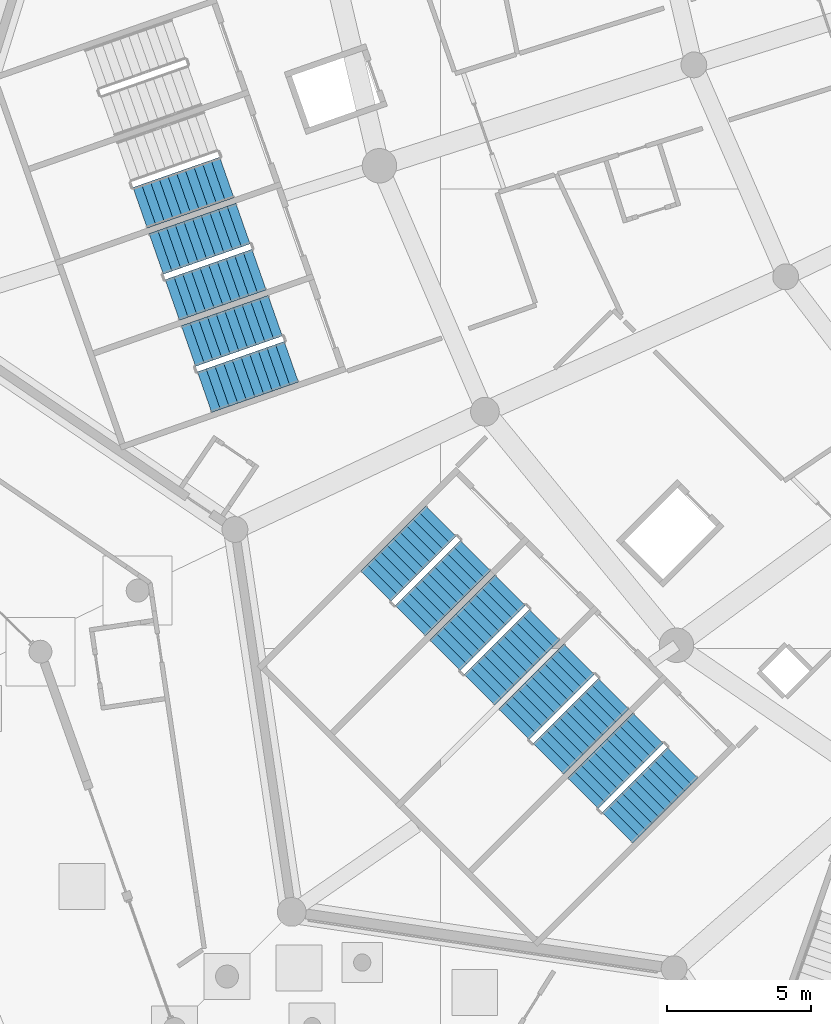
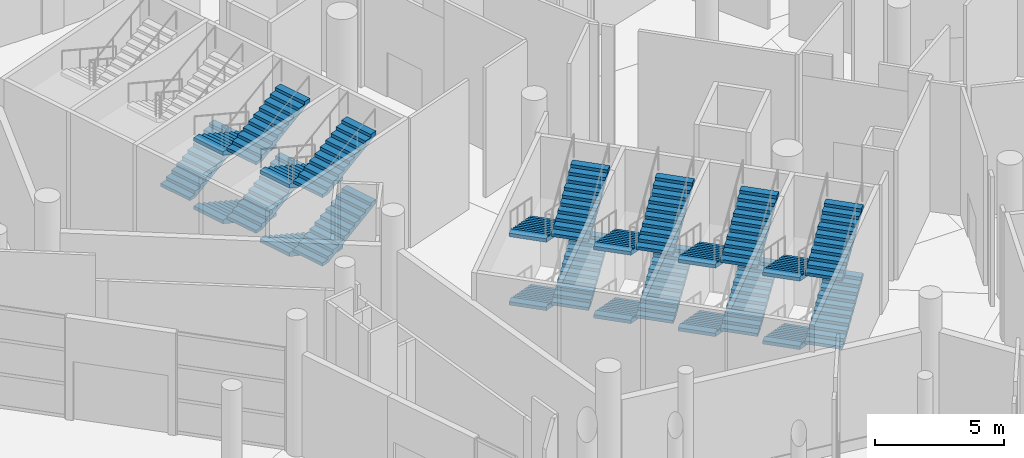
# One storey, part 159 of 255: 25 stair flights, 7 elements without a shape of their own.
"""IFC4 building model written with IfcOpenShell, lengths in metres."""

from ifc_helpers import new_model, si_unit, direction, frame, origin, place, context, subcontext, project, spatial, polyline, outline, extrude, material, type_object, element, aggregate, save


model = new_model("IFC4")

# Units and contexts
model_context = context("Model", 3, precision=1e-05, world=origin(), true_north=direction((0.0, 1.0)))
body_context = subcontext(model_context, "Body", "Model", "MODEL_VIEW")
ifc_project = project(units=[si_unit("LENGTHUNIT", "METRE"), si_unit("AREAUNIT", "SQUARE_METRE"), si_unit("VOLUMEUNIT", "CUBIC_METRE"), si_unit("PLANEANGLEUNIT", "RADIAN"), si_unit("MASSUNIT", "GRAM", prefix="KILO")], contexts=[model_context])

# Site, building, storey
site_placement = place(None, origin())
site = spatial("IfcSite", under=ifc_project, at=site_placement, CompositionType="ELEMENT")
building_placement = place(site_placement, origin())
building = spatial("IfcBuilding", under=site, at=building_placement, Name="Meseta Stadium", CompositionType="ELEMENT")
storey_placement = place(building_placement, origin())
storey = spatial("IfcBuildingStorey", under=building, at=storey_placement, Name="L00", CompositionType="ELEMENT", Elevation=0.0)

# Stair, stair flight
ifc_material_1 = material(Name="Concrete C40/50", Category="concrete")
stair_type = type_object("IfcStairType", Name="Exit stair 4 flights 148 mm risers", PredefinedType="HALF_TURN_STAIR", material=ifc_material_1)
stair_1_placement = place(storey_placement, origin())
stair_1 = element("IfcStair", 1, at=stair_1_placement, inside=storey, type_object=stair_type, Name="ST78 L00", PredefinedType="HALF_TURN_STAIR")
ifc_material_2 = material(Name="Concrete C40/50", Category="concrete")
stair_flight_type = type_object("IfcStairFlightType", Name="Exit stair flight 148 mm risers, 4 per storey", PredefinedType="STRAIGHT", material=ifc_material_2)
stair_flight_1_placement = place(storey_placement, frame((-90.45458984375, -64.65478515625, 1.625), z_axis=(0.0, 0.0, 1.0), x_axis=(0.943883331955, 0.330279057248, 0.0)))
stair_flight_1 = element("IfcStairFlight", 2, at=stair_flight_1_placement, type_object=stair_flight_type, Name="ST78 L00 flight 2", NumberOfRisers=11, NumberOfTreads=10, PredefinedType="STRAIGHT", RiserHeight=0.147727273, TreadLength=0.32, context=body_context, shape_type="SweptSolid", body=[
    extrude(outline(polyline([(0.0, 0.0), (0.0, 0.147705078125), (0.320068359375, 0.147705078125), (0.320068359375, 0.29541015625), (0.639892578125, 0.29541015625), (0.639892578125, 0.443115234375), (0.9599609375, 0.443115234375), (0.9599609375, 0.5908203125), (1.280029296875, 0.5908203125), (1.280029296875, 0.738525390625), (1.60009765625, 0.738525390625), (1.60009765625, 0.886474609375), (1.919921875, 0.886474609375), (1.919921875, 1.0341796875), (2.239990234375, 1.0341796875), (2.239990234375, 1.181884765625), (2.56005859375, 1.181884765625), (2.56005859375, 1.32958984375), (2.8798828125, 1.32958984375), (2.8798828125, 1.477294921875), (3.199951171875, 1.477294921875), (3.199951171875, 1.312255859375), (0.357666015625, 0.0), (0.0, 0.0)])), frame((0.0, 0.75, 0.0), z_axis=(0.0, -1.0, 0.0), x_axis=(1.0, 0.0, 0.0)), (0.0, 0.0, 1.0), 1.5),
])
aggregate(stair_1, [stair_flight_1])

# Stair, stair flights
stair_2_placement = place(storey_placement, origin())
stair_2 = element("IfcStair", 3, at=stair_2_placement, inside=storey, type_object=stair_type, Name="ST79 L00", PredefinedType="HALF_TURN_STAIR")
stair_flight_2_placement = place(storey_placement, frame((-86.87255859375, -65.202392578125, 0.0), z_axis=(0.0, 0.0, 1.0), x_axis=(-0.943883331955, -0.330279057248, 0.0)))
stair_flight_2 = element("IfcStairFlight", 4, at=stair_flight_2_placement, type_object=stair_flight_type, Name="ST79 L00 flight 1", NumberOfRisers=11, NumberOfTreads=10, PredefinedType="STRAIGHT", RiserHeight=0.147727273, TreadLength=0.32, context=body_context, shape_type="SweptSolid", body=[
    extrude(outline(polyline([(0.0, 0.0), (0.0, 0.147705078125), (0.320068359375, 0.147705078125), (0.320068359375, 0.29541015625), (0.639892578125, 0.29541015625), (0.639892578125, 0.443115234375), (0.9599609375, 0.443115234375), (0.9599609375, 0.5908203125), (1.280029296875, 0.5908203125), (1.280029296875, 0.738525390625), (1.60009765625, 0.738525390625), (1.60009765625, 0.886474609375), (1.919921875, 0.886474609375), (1.919921875, 1.0341796875), (2.239990234375, 1.0341796875), (2.239990234375, 1.181884765625), (2.56005859375, 1.181884765625), (2.56005859375, 1.32958984375), (2.8798828125, 1.32958984375), (2.8798828125, 1.477294921875), (3.199951171875, 1.477294921875), (3.199951171875, 1.312255859375), (0.357666015625, 0.0), (0.0, 0.0)])), frame((0.0, 0.75, 0.0), z_axis=(0.0, -1.0, 0.0), x_axis=(1.0, 0.0, 0.0)), (0.0, 0.0, 1.0), 1.5),
])
stair_flight_3_placement = place(storey_placement, frame((-89.33154296875, -67.864013671875, 1.625), z_axis=(0.0, 0.0, 1.0), x_axis=(0.943883331955, 0.330279057248, 0.0)))
stair_flight_3 = element("IfcStairFlight", 5, at=stair_flight_3_placement, type_object=stair_flight_type, Name="ST79 L00 flight 2", NumberOfRisers=11, NumberOfTreads=10, PredefinedType="STRAIGHT", RiserHeight=0.147727273, TreadLength=0.32, context=body_context, shape_type="SweptSolid", body=[
    extrude(outline(polyline([(0.0, 0.0), (0.0, 0.147705078125), (0.320068359375, 0.147705078125), (0.320068359375, 0.29541015625), (0.639892578125, 0.29541015625), (0.639892578125, 0.443115234375), (0.9599609375, 0.443115234375), (0.9599609375, 0.5908203125), (1.280029296875, 0.5908203125), (1.280029296875, 0.738525390625), (1.60009765625, 0.738525390625), (1.60009765625, 0.886474609375), (1.919921875, 0.886474609375), (1.919921875, 1.0341796875), (2.239990234375, 1.0341796875), (2.239990234375, 1.181884765625), (2.56005859375, 1.181884765625), (2.56005859375, 1.32958984375), (2.8798828125, 1.32958984375), (2.8798828125, 1.477294921875), (3.199951171875, 1.477294921875), (3.199951171875, 1.312255859375), (0.357666015625, 0.0), (0.0, 0.0)])), frame((0.0, 0.75, 0.0), z_axis=(0.0, -1.0, 0.0), x_axis=(1.0, 0.0, 0.0)), (0.0, 0.0, 1.0), 1.5),
])
stair_flight_4_placement = place(storey_placement, frame((-86.87255859375, -65.202392578125, 3.25), z_axis=(0.0, 0.0, 1.0), x_axis=(-0.943883331955, -0.330279057248, 0.0)))
stair_flight_4 = element("IfcStairFlight", 6, at=stair_flight_4_placement, type_object=stair_flight_type, Name="ST79 L00 flight 3", NumberOfRisers=11, NumberOfTreads=10, PredefinedType="STRAIGHT", RiserHeight=0.147727273, TreadLength=0.32, context=body_context, shape_type="SweptSolid", body=[
    extrude(outline(polyline([(0.0, 0.0), (0.0, 0.147705078125), (0.320068359375, 0.147705078125), (0.320068359375, 0.29541015625), (0.639892578125, 0.29541015625), (0.639892578125, 0.443115234375), (0.9599609375, 0.443115234375), (0.9599609375, 0.5908203125), (1.280029296875, 0.5908203125), (1.280029296875, 0.738525390625), (1.60009765625, 0.738525390625), (1.60009765625, 0.886474609375), (1.919921875, 0.886474609375), (1.919921875, 1.0341796875), (2.239990234375, 1.0341796875), (2.239990234375, 1.181884765625), (2.56005859375, 1.181884765625), (2.56005859375, 1.32958984375), (2.8798828125, 1.32958984375), (2.8798828125, 1.477294921875), (3.199951171875, 1.477294921875), (3.199951171875, 1.312255859375), (0.357666015625, 0.0), (0.0, 0.0)])), frame((0.0, 0.75, 0.0), z_axis=(0.0, -1.0, 0.0), x_axis=(1.0, 0.0, 0.0)), (0.0, 0.0, 1.0), 1.5),
])
stair_flight_5_placement = place(storey_placement, frame((-89.33154296875, -67.864013671875, 4.875), z_axis=(0.0, 0.0, 1.0), x_axis=(0.943883331955, 0.330279057248, 0.0)))
stair_flight_5 = element("IfcStairFlight", 7, at=stair_flight_5_placement, type_object=stair_flight_type, Name="ST79 L00 flight 4", NumberOfRisers=11, NumberOfTreads=10, PredefinedType="STRAIGHT", RiserHeight=0.147727273, TreadLength=0.32, context=body_context, shape_type="SweptSolid", body=[
    extrude(outline(polyline([(0.0, 0.0), (0.0, 0.147705078125), (0.320068359375, 0.147705078125), (0.320068359375, 0.29541015625), (0.639892578125, 0.29541015625), (0.639892578125, 0.443115234375), (0.9599609375, 0.443115234375), (0.9599609375, 0.5908203125), (1.280029296875, 0.5908203125), (1.280029296875, 0.738525390625), (1.60009765625, 0.738525390625), (1.60009765625, 0.886474609375), (1.919921875, 0.886474609375), (1.919921875, 1.0341796875), (2.239990234375, 1.0341796875), (2.239990234375, 1.181884765625), (2.56005859375, 1.181884765625), (2.56005859375, 1.32958984375), (2.8798828125, 1.32958984375), (2.8798828125, 1.477294921875), (3.199951171875, 1.477294921875), (3.199951171875, 1.312255859375), (0.357666015625, 0.0), (0.0, 0.0)])), frame((0.0, 0.75, 0.0), z_axis=(0.0, -1.0, 0.0), x_axis=(1.0, 0.0, 0.0)), (0.0, 0.0, 1.0), 1.5),
])
aggregate(stair_2, [stair_flight_2, stair_flight_3, stair_flight_4, stair_flight_5])

stair_3_placement = place(storey_placement, origin())
stair_3 = element("IfcStair", 8, at=stair_3_placement, inside=storey, type_object=stair_type, Name="ST80 L00", PredefinedType="HALF_TURN_STAIR")
stair_flight_6_placement = place(storey_placement, frame((-85.74951171875, -68.41162109375, 0.0), z_axis=(0.0, 0.0, 1.0), x_axis=(-0.943883331955, -0.330279057248, 0.0)))
stair_flight_6 = element("IfcStairFlight", 9, at=stair_flight_6_placement, type_object=stair_flight_type, Name="ST80 L00 flight 1", NumberOfRisers=11, NumberOfTreads=10, PredefinedType="STRAIGHT", RiserHeight=0.147727273, TreadLength=0.32, context=body_context, shape_type="SweptSolid", body=[
    extrude(outline(polyline([(0.0, 0.0), (0.0, 0.147705078125), (0.320068359375, 0.147705078125), (0.320068359375, 0.29541015625), (0.639892578125, 0.29541015625), (0.639892578125, 0.443115234375), (0.9599609375, 0.443115234375), (0.9599609375, 0.5908203125), (1.280029296875, 0.5908203125), (1.280029296875, 0.738525390625), (1.60009765625, 0.738525390625), (1.60009765625, 0.886474609375), (1.919921875, 0.886474609375), (1.919921875, 1.0341796875), (2.239990234375, 1.0341796875), (2.239990234375, 1.181884765625), (2.56005859375, 1.181884765625), (2.56005859375, 1.32958984375), (2.8798828125, 1.32958984375), (2.8798828125, 1.477294921875), (3.199951171875, 1.477294921875), (3.199951171875, 1.312255859375), (0.357666015625, 0.0), (0.0, 0.0)])), frame((0.0, 0.75, 0.0), z_axis=(0.0, -1.0, 0.0), x_axis=(1.0, 0.0, 0.0)), (0.0, 0.0, 1.0), 1.5),
])
stair_flight_7_placement = place(storey_placement, frame((-88.20849609375, -71.0732421875, 1.625), z_axis=(0.0, 0.0, 1.0), x_axis=(0.943883331955, 0.330279057248, 0.0)))
stair_flight_7 = element("IfcStairFlight", 10, at=stair_flight_7_placement, type_object=stair_flight_type, Name="ST80 L00 flight 2", NumberOfRisers=11, NumberOfTreads=10, PredefinedType="STRAIGHT", RiserHeight=0.147727273, TreadLength=0.32, context=body_context, shape_type="SweptSolid", body=[
    extrude(outline(polyline([(0.0, 0.0), (0.0, 0.147705078125), (0.320068359375, 0.147705078125), (0.320068359375, 0.29541015625), (0.639892578125, 0.29541015625), (0.639892578125, 0.443115234375), (0.9599609375, 0.443115234375), (0.9599609375, 0.5908203125), (1.280029296875, 0.5908203125), (1.280029296875, 0.738525390625), (1.60009765625, 0.738525390625), (1.60009765625, 0.886474609375), (1.919921875, 0.886474609375), (1.919921875, 1.0341796875), (2.239990234375, 1.0341796875), (2.239990234375, 1.181884765625), (2.56005859375, 1.181884765625), (2.56005859375, 1.32958984375), (2.8798828125, 1.32958984375), (2.8798828125, 1.477294921875), (3.199951171875, 1.477294921875), (3.199951171875, 1.312255859375), (0.357666015625, 0.0), (0.0, 0.0)])), frame((0.0, 0.75, 0.0), z_axis=(0.0, -1.0, 0.0), x_axis=(1.0, 0.0, 0.0)), (0.0, 0.0, 1.0), 1.5),
])
stair_flight_8_placement = place(storey_placement, frame((-85.74951171875, -68.41162109375, 3.25), z_axis=(0.0, 0.0, 1.0), x_axis=(-0.943883331955, -0.330279057248, 0.0)))
stair_flight_8 = element("IfcStairFlight", 11, at=stair_flight_8_placement, type_object=stair_flight_type, Name="ST80 L00 flight 3", NumberOfRisers=11, NumberOfTreads=10, PredefinedType="STRAIGHT", RiserHeight=0.147727273, TreadLength=0.32, context=body_context, shape_type="SweptSolid", body=[
    extrude(outline(polyline([(0.0, 0.0), (0.0, 0.147705078125), (0.320068359375, 0.147705078125), (0.320068359375, 0.29541015625), (0.639892578125, 0.29541015625), (0.639892578125, 0.443115234375), (0.9599609375, 0.443115234375), (0.9599609375, 0.5908203125), (1.280029296875, 0.5908203125), (1.280029296875, 0.738525390625), (1.60009765625, 0.738525390625), (1.60009765625, 0.886474609375), (1.919921875, 0.886474609375), (1.919921875, 1.0341796875), (2.239990234375, 1.0341796875), (2.239990234375, 1.181884765625), (2.56005859375, 1.181884765625), (2.56005859375, 1.32958984375), (2.8798828125, 1.32958984375), (2.8798828125, 1.477294921875), (3.199951171875, 1.477294921875), (3.199951171875, 1.312255859375), (0.357666015625, 0.0), (0.0, 0.0)])), frame((0.0, 0.75, 0.0), z_axis=(0.0, -1.0, 0.0), x_axis=(1.0, 0.0, 0.0)), (0.0, 0.0, 1.0), 1.5),
])
stair_flight_9_placement = place(storey_placement, frame((-88.20849609375, -71.0732421875, 4.875), z_axis=(0.0, 0.0, 1.0), x_axis=(0.943883331955, 0.330279057248, 0.0)))
stair_flight_9 = element("IfcStairFlight", 12, at=stair_flight_9_placement, type_object=stair_flight_type, Name="ST80 L00 flight 4", NumberOfRisers=11, NumberOfTreads=10, PredefinedType="STRAIGHT", RiserHeight=0.147727273, TreadLength=0.32, context=body_context, shape_type="SweptSolid", body=[
    extrude(outline(polyline([(0.0, 0.0), (0.0, 0.147705078125), (0.320068359375, 0.147705078125), (0.320068359375, 0.29541015625), (0.639892578125, 0.29541015625), (0.639892578125, 0.443115234375), (0.9599609375, 0.443115234375), (0.9599609375, 0.5908203125), (1.280029296875, 0.5908203125), (1.280029296875, 0.738525390625), (1.60009765625, 0.738525390625), (1.60009765625, 0.886474609375), (1.919921875, 0.886474609375), (1.919921875, 1.0341796875), (2.239990234375, 1.0341796875), (2.239990234375, 1.181884765625), (2.56005859375, 1.181884765625), (2.56005859375, 1.32958984375), (2.8798828125, 1.32958984375), (2.8798828125, 1.477294921875), (3.199951171875, 1.477294921875), (3.199951171875, 1.312255859375), (0.357666015625, 0.0), (0.0, 0.0)])), frame((0.0, 0.75, 0.0), z_axis=(0.0, -1.0, 0.0), x_axis=(1.0, 0.0, 0.0)), (0.0, 0.0, 1.0), 1.5),
])
aggregate(stair_3, [stair_flight_6, stair_flight_7, stair_flight_8, stair_flight_9])

stair_4_placement = place(storey_placement, origin())
stair_4 = element("IfcStair", 13, at=stair_4_placement, inside=storey, type_object=stair_type, Name="ST81 L00", PredefinedType="HALF_TURN_STAIR")
stair_flight_10_placement = place(storey_placement, frame((-79.9765625, -75.56201171875, 0.0), z_axis=(0.0, 0.0, 1.0), x_axis=(-0.707106781187, -0.707106781187, 0.0)))
stair_flight_10 = element("IfcStairFlight", 14, at=stair_flight_10_placement, type_object=stair_flight_type, Name="ST81 L00 flight 1", NumberOfRisers=11, NumberOfTreads=10, PredefinedType="STRAIGHT", RiserHeight=0.147727273, TreadLength=0.32, context=body_context, shape_type="SweptSolid", body=[
    extrude(outline(polyline([(0.0, 0.0), (0.0, 0.147705078125), (0.320068359375, 0.147705078125), (0.320068359375, 0.29541015625), (0.639892578125, 0.29541015625), (0.639892578125, 0.443115234375), (0.9599609375, 0.443115234375), (0.9599609375, 0.5908203125), (1.280029296875, 0.5908203125), (1.280029296875, 0.738525390625), (1.60009765625, 0.738525390625), (1.60009765625, 0.886474609375), (1.919921875, 0.886474609375), (1.919921875, 1.0341796875), (2.239990234375, 1.0341796875), (2.239990234375, 1.181884765625), (2.56005859375, 1.181884765625), (2.56005859375, 1.32958984375), (2.8798828125, 1.32958984375), (2.8798828125, 1.477294921875), (3.199951171875, 1.477294921875), (3.199951171875, 1.312255859375), (0.357666015625, 0.0), (0.0, 0.0)])), frame((0.0, 0.75, 0.0), z_axis=(0.0, -1.0, 0.0), x_axis=(1.0, 0.0, 0.0)), (0.0, 0.0, 1.0), 1.5),
])
stair_flight_11_placement = place(storey_placement, frame((-81.037109375, -79.026611328125, 1.625), z_axis=(0.0, 0.0, 1.0), x_axis=(0.707106781187, 0.707106781187, 0.0)))
stair_flight_11 = element("IfcStairFlight", 15, at=stair_flight_11_placement, type_object=stair_flight_type, Name="ST81 L00 flight 2", NumberOfRisers=11, NumberOfTreads=10, PredefinedType="STRAIGHT", RiserHeight=0.147727273, TreadLength=0.32, context=body_context, shape_type="SweptSolid", body=[
    extrude(outline(polyline([(0.0, 0.0), (0.0, 0.147705078125), (0.320068359375, 0.147705078125), (0.320068359375, 0.29541015625), (0.639892578125, 0.29541015625), (0.639892578125, 0.443115234375), (0.9599609375, 0.443115234375), (0.9599609375, 0.5908203125), (1.280029296875, 0.5908203125), (1.280029296875, 0.738525390625), (1.60009765625, 0.738525390625), (1.60009765625, 0.886474609375), (1.919921875, 0.886474609375), (1.919921875, 1.0341796875), (2.239990234375, 1.0341796875), (2.239990234375, 1.181884765625), (2.56005859375, 1.181884765625), (2.56005859375, 1.32958984375), (2.8798828125, 1.32958984375), (2.8798828125, 1.477294921875), (3.199951171875, 1.477294921875), (3.199951171875, 1.312255859375), (0.357666015625, 0.0), (0.0, 0.0)])), frame((0.0, 0.75, 0.0), z_axis=(0.0, -1.0, 0.0), x_axis=(1.0, 0.0, 0.0)), (0.0, 0.0, 1.0), 1.5),
])
stair_flight_12_placement = place(storey_placement, frame((-79.9765625, -75.56201171875, 3.25), z_axis=(0.0, 0.0, 1.0), x_axis=(-0.707106781187, -0.707106781187, 0.0)))
stair_flight_12 = element("IfcStairFlight", 16, at=stair_flight_12_placement, type_object=stair_flight_type, Name="ST81 L00 flight 3", NumberOfRisers=11, NumberOfTreads=10, PredefinedType="STRAIGHT", RiserHeight=0.147727273, TreadLength=0.32, context=body_context, shape_type="SweptSolid", body=[
    extrude(outline(polyline([(0.0, 0.0), (0.0, 0.147705078125), (0.320068359375, 0.147705078125), (0.320068359375, 0.29541015625), (0.639892578125, 0.29541015625), (0.639892578125, 0.443115234375), (0.9599609375, 0.443115234375), (0.9599609375, 0.5908203125), (1.280029296875, 0.5908203125), (1.280029296875, 0.738525390625), (1.60009765625, 0.738525390625), (1.60009765625, 0.886474609375), (1.919921875, 0.886474609375), (1.919921875, 1.0341796875), (2.239990234375, 1.0341796875), (2.239990234375, 1.181884765625), (2.56005859375, 1.181884765625), (2.56005859375, 1.32958984375), (2.8798828125, 1.32958984375), (2.8798828125, 1.477294921875), (3.199951171875, 1.477294921875), (3.199951171875, 1.312255859375), (0.357666015625, 0.0), (0.0, 0.0)])), frame((0.0, 0.75, 0.0), z_axis=(0.0, -1.0, 0.0), x_axis=(1.0, 0.0, 0.0)), (0.0, 0.0, 1.0), 1.5),
])
stair_flight_13_placement = place(storey_placement, frame((-81.037109375, -79.026611328125, 4.875), z_axis=(0.0, 0.0, 1.0), x_axis=(0.707106781187, 0.707106781187, 0.0)))
stair_flight_13 = element("IfcStairFlight", 17, at=stair_flight_13_placement, type_object=stair_flight_type, Name="ST81 L00 flight 4", NumberOfRisers=11, NumberOfTreads=10, PredefinedType="STRAIGHT", RiserHeight=0.147727273, TreadLength=0.32, context=body_context, shape_type="SweptSolid", body=[
    extrude(outline(polyline([(0.0, 0.0), (0.0, 0.147705078125), (0.320068359375, 0.147705078125), (0.320068359375, 0.29541015625), (0.639892578125, 0.29541015625), (0.639892578125, 0.443115234375), (0.9599609375, 0.443115234375), (0.9599609375, 0.5908203125), (1.280029296875, 0.5908203125), (1.280029296875, 0.738525390625), (1.60009765625, 0.738525390625), (1.60009765625, 0.886474609375), (1.919921875, 0.886474609375), (1.919921875, 1.0341796875), (2.239990234375, 1.0341796875), (2.239990234375, 1.181884765625), (2.56005859375, 1.181884765625), (2.56005859375, 1.32958984375), (2.8798828125, 1.32958984375), (2.8798828125, 1.477294921875), (3.199951171875, 1.477294921875), (3.199951171875, 1.312255859375), (0.357666015625, 0.0), (0.0, 0.0)])), frame((0.0, 0.75, 0.0), z_axis=(0.0, -1.0, 0.0), x_axis=(1.0, 0.0, 0.0)), (0.0, 0.0, 1.0), 1.5),
])
aggregate(stair_4, [stair_flight_10, stair_flight_11, stair_flight_12, stair_flight_13])

stair_5_placement = place(storey_placement, origin())
stair_5 = element("IfcStair", 18, at=stair_5_placement, inside=storey, type_object=stair_type, Name="ST82 L00", PredefinedType="HALF_TURN_STAIR")
stair_flight_14_placement = place(storey_placement, frame((-77.572265625, -77.966064453125, 0.0), z_axis=(0.0, 0.0, 1.0), x_axis=(-0.707106781187, -0.707106781187, 0.0)))
stair_flight_14 = element("IfcStairFlight", 19, at=stair_flight_14_placement, type_object=stair_flight_type, Name="ST82 L00 flight 1", NumberOfRisers=11, NumberOfTreads=10, PredefinedType="STRAIGHT", RiserHeight=0.147727273, TreadLength=0.32, context=body_context, shape_type="SweptSolid", body=[
    extrude(outline(polyline([(0.0, 0.0), (0.0, 0.147705078125), (0.320068359375, 0.147705078125), (0.320068359375, 0.29541015625), (0.639892578125, 0.29541015625), (0.639892578125, 0.443115234375), (0.9599609375, 0.443115234375), (0.9599609375, 0.5908203125), (1.280029296875, 0.5908203125), (1.280029296875, 0.738525390625), (1.60009765625, 0.738525390625), (1.60009765625, 0.886474609375), (1.919921875, 0.886474609375), (1.919921875, 1.0341796875), (2.239990234375, 1.0341796875), (2.239990234375, 1.181884765625), (2.56005859375, 1.181884765625), (2.56005859375, 1.32958984375), (2.8798828125, 1.32958984375), (2.8798828125, 1.477294921875), (3.199951171875, 1.477294921875), (3.199951171875, 1.312255859375), (0.357666015625, 0.0), (0.0, 0.0)])), frame((0.0, 0.75, 0.0), z_axis=(0.0, -1.0, 0.0), x_axis=(1.0, 0.0, 0.0)), (0.0, 0.0, 1.0), 1.5),
])
stair_flight_15_placement = place(storey_placement, frame((-78.633056640625, -81.430908203125, 1.625), z_axis=(0.0, 0.0, 1.0), x_axis=(0.707106781187, 0.707106781187, 0.0)))
stair_flight_15 = element("IfcStairFlight", 20, at=stair_flight_15_placement, type_object=stair_flight_type, Name="ST82 L00 flight 2", NumberOfRisers=11, NumberOfTreads=10, PredefinedType="STRAIGHT", RiserHeight=0.147727273, TreadLength=0.32, context=body_context, shape_type="SweptSolid", body=[
    extrude(outline(polyline([(0.0, 0.0), (0.0, 0.147705078125), (0.320068359375, 0.147705078125), (0.320068359375, 0.29541015625), (0.639892578125, 0.29541015625), (0.639892578125, 0.443115234375), (0.9599609375, 0.443115234375), (0.9599609375, 0.5908203125), (1.280029296875, 0.5908203125), (1.280029296875, 0.738525390625), (1.60009765625, 0.738525390625), (1.60009765625, 0.886474609375), (1.919921875, 0.886474609375), (1.919921875, 1.0341796875), (2.239990234375, 1.0341796875), (2.239990234375, 1.181884765625), (2.56005859375, 1.181884765625), (2.56005859375, 1.32958984375), (2.8798828125, 1.32958984375), (2.8798828125, 1.477294921875), (3.199951171875, 1.477294921875), (3.199951171875, 1.312255859375), (0.357666015625, 0.0), (0.0, 0.0)])), frame((0.0, 0.75, 0.0), z_axis=(0.0, -1.0, 0.0), x_axis=(1.0, 0.0, 0.0)), (0.0, 0.0, 1.0), 1.5),
])
stair_flight_16_placement = place(storey_placement, frame((-77.572265625, -77.966064453125, 3.25), z_axis=(0.0, 0.0, 1.0), x_axis=(-0.707106781187, -0.707106781187, 0.0)))
stair_flight_16 = element("IfcStairFlight", 21, at=stair_flight_16_placement, type_object=stair_flight_type, Name="ST82 L00 flight 3", NumberOfRisers=11, NumberOfTreads=10, PredefinedType="STRAIGHT", RiserHeight=0.147727273, TreadLength=0.32, context=body_context, shape_type="SweptSolid", body=[
    extrude(outline(polyline([(0.0, 0.0), (0.0, 0.147705078125), (0.320068359375, 0.147705078125), (0.320068359375, 0.29541015625), (0.639892578125, 0.29541015625), (0.639892578125, 0.443115234375), (0.9599609375, 0.443115234375), (0.9599609375, 0.5908203125), (1.280029296875, 0.5908203125), (1.280029296875, 0.738525390625), (1.60009765625, 0.738525390625), (1.60009765625, 0.886474609375), (1.919921875, 0.886474609375), (1.919921875, 1.0341796875), (2.239990234375, 1.0341796875), (2.239990234375, 1.181884765625), (2.56005859375, 1.181884765625), (2.56005859375, 1.32958984375), (2.8798828125, 1.32958984375), (2.8798828125, 1.477294921875), (3.199951171875, 1.477294921875), (3.199951171875, 1.312255859375), (0.357666015625, 0.0), (0.0, 0.0)])), frame((0.0, 0.75, 0.0), z_axis=(0.0, -1.0, 0.0), x_axis=(1.0, 0.0, 0.0)), (0.0, 0.0, 1.0), 1.5),
])
stair_flight_17_placement = place(storey_placement, frame((-78.633056640625, -81.430908203125, 4.875), z_axis=(0.0, 0.0, 1.0), x_axis=(0.707106781187, 0.707106781187, 0.0)))
stair_flight_17 = element("IfcStairFlight", 22, at=stair_flight_17_placement, type_object=stair_flight_type, Name="ST82 L00 flight 4", NumberOfRisers=11, NumberOfTreads=10, PredefinedType="STRAIGHT", RiserHeight=0.147727273, TreadLength=0.32, context=body_context, shape_type="SweptSolid", body=[
    extrude(outline(polyline([(0.0, 0.0), (0.0, 0.147705078125), (0.320068359375, 0.147705078125), (0.320068359375, 0.29541015625), (0.639892578125, 0.29541015625), (0.639892578125, 0.443115234375), (0.9599609375, 0.443115234375), (0.9599609375, 0.5908203125), (1.280029296875, 0.5908203125), (1.280029296875, 0.738525390625), (1.60009765625, 0.738525390625), (1.60009765625, 0.886474609375), (1.919921875, 0.886474609375), (1.919921875, 1.0341796875), (2.239990234375, 1.0341796875), (2.239990234375, 1.181884765625), (2.56005859375, 1.181884765625), (2.56005859375, 1.32958984375), (2.8798828125, 1.32958984375), (2.8798828125, 1.477294921875), (3.199951171875, 1.477294921875), (3.199951171875, 1.312255859375), (0.357666015625, 0.0), (0.0, 0.0)])), frame((0.0, 0.75, 0.0), z_axis=(0.0, -1.0, 0.0), x_axis=(1.0, 0.0, 0.0)), (0.0, 0.0, 1.0), 1.5),
])
aggregate(stair_5, [stair_flight_14, stair_flight_15, stair_flight_16, stair_flight_17])

stair_6_placement = place(storey_placement, origin())
stair_6 = element("IfcStair", 23, at=stair_6_placement, inside=storey, type_object=stair_type, Name="ST83 L00", PredefinedType="HALF_TURN_STAIR")
stair_flight_18_placement = place(storey_placement, frame((-75.168212890625, -80.3701171875, 0.0), z_axis=(0.0, 0.0, 1.0), x_axis=(-0.707106781187, -0.707106781187, 0.0)))
stair_flight_18 = element("IfcStairFlight", 24, at=stair_flight_18_placement, type_object=stair_flight_type, Name="ST83 L00 flight 1", NumberOfRisers=11, NumberOfTreads=10, PredefinedType="STRAIGHT", RiserHeight=0.147727273, TreadLength=0.32, context=body_context, shape_type="SweptSolid", body=[
    extrude(outline(polyline([(0.0, 0.0), (0.0, 0.147705078125), (0.320068359375, 0.147705078125), (0.320068359375, 0.29541015625), (0.639892578125, 0.29541015625), (0.639892578125, 0.443115234375), (0.9599609375, 0.443115234375), (0.9599609375, 0.5908203125), (1.280029296875, 0.5908203125), (1.280029296875, 0.738525390625), (1.60009765625, 0.738525390625), (1.60009765625, 0.886474609375), (1.919921875, 0.886474609375), (1.919921875, 1.0341796875), (2.239990234375, 1.0341796875), (2.239990234375, 1.181884765625), (2.56005859375, 1.181884765625), (2.56005859375, 1.32958984375), (2.8798828125, 1.32958984375), (2.8798828125, 1.477294921875), (3.199951171875, 1.477294921875), (3.199951171875, 1.312255859375), (0.357666015625, 0.0), (0.0, 0.0)])), frame((0.0, 0.75, 0.0), z_axis=(0.0, -1.0, 0.0), x_axis=(1.0, 0.0, 0.0)), (0.0, 0.0, 1.0), 1.5),
])
stair_flight_19_placement = place(storey_placement, frame((-76.228759765625, -83.8349609375, 1.625), z_axis=(0.0, 0.0, 1.0), x_axis=(0.707106781187, 0.707106781187, 0.0)))
stair_flight_19 = element("IfcStairFlight", 25, at=stair_flight_19_placement, type_object=stair_flight_type, Name="ST83 L00 flight 2", NumberOfRisers=11, NumberOfTreads=10, PredefinedType="STRAIGHT", RiserHeight=0.147727273, TreadLength=0.32, context=body_context, shape_type="SweptSolid", body=[
    extrude(outline(polyline([(0.0, 0.0), (0.0, 0.147705078125), (0.320068359375, 0.147705078125), (0.320068359375, 0.29541015625), (0.639892578125, 0.29541015625), (0.639892578125, 0.443115234375), (0.9599609375, 0.443115234375), (0.9599609375, 0.5908203125), (1.280029296875, 0.5908203125), (1.280029296875, 0.738525390625), (1.60009765625, 0.738525390625), (1.60009765625, 0.886474609375), (1.919921875, 0.886474609375), (1.919921875, 1.0341796875), (2.239990234375, 1.0341796875), (2.239990234375, 1.181884765625), (2.56005859375, 1.181884765625), (2.56005859375, 1.32958984375), (2.8798828125, 1.32958984375), (2.8798828125, 1.477294921875), (3.199951171875, 1.477294921875), (3.199951171875, 1.312255859375), (0.357666015625, 0.0), (0.0, 0.0)])), frame((0.0, 0.75, 0.0), z_axis=(0.0, -1.0, 0.0), x_axis=(1.0, 0.0, 0.0)), (0.0, 0.0, 1.0), 1.5),
])
stair_flight_20_placement = place(storey_placement, frame((-75.168212890625, -80.3701171875, 3.25), z_axis=(0.0, 0.0, 1.0), x_axis=(-0.707106781187, -0.707106781187, 0.0)))
stair_flight_20 = element("IfcStairFlight", 26, at=stair_flight_20_placement, type_object=stair_flight_type, Name="ST83 L00 flight 3", NumberOfRisers=11, NumberOfTreads=10, PredefinedType="STRAIGHT", RiserHeight=0.147727273, TreadLength=0.32, context=body_context, shape_type="SweptSolid", body=[
    extrude(outline(polyline([(0.0, 0.0), (0.0, 0.147705078125), (0.320068359375, 0.147705078125), (0.320068359375, 0.29541015625), (0.639892578125, 0.29541015625), (0.639892578125, 0.443115234375), (0.9599609375, 0.443115234375), (0.9599609375, 0.5908203125), (1.280029296875, 0.5908203125), (1.280029296875, 0.738525390625), (1.60009765625, 0.738525390625), (1.60009765625, 0.886474609375), (1.919921875, 0.886474609375), (1.919921875, 1.0341796875), (2.239990234375, 1.0341796875), (2.239990234375, 1.181884765625), (2.56005859375, 1.181884765625), (2.56005859375, 1.32958984375), (2.8798828125, 1.32958984375), (2.8798828125, 1.477294921875), (3.199951171875, 1.477294921875), (3.199951171875, 1.312255859375), (0.357666015625, 0.0), (0.0, 0.0)])), frame((0.0, 0.75, 0.0), z_axis=(0.0, -1.0, 0.0), x_axis=(1.0, 0.0, 0.0)), (0.0, 0.0, 1.0), 1.5),
])
stair_flight_21_placement = place(storey_placement, frame((-76.228759765625, -83.8349609375, 4.875), z_axis=(0.0, 0.0, 1.0), x_axis=(0.707106781187, 0.707106781187, 0.0)))
stair_flight_21 = element("IfcStairFlight", 27, at=stair_flight_21_placement, type_object=stair_flight_type, Name="ST83 L00 flight 4", NumberOfRisers=11, NumberOfTreads=10, PredefinedType="STRAIGHT", RiserHeight=0.147727273, TreadLength=0.32, context=body_context, shape_type="SweptSolid", body=[
    extrude(outline(polyline([(0.0, 0.0), (0.0, 0.147705078125), (0.320068359375, 0.147705078125), (0.320068359375, 0.29541015625), (0.639892578125, 0.29541015625), (0.639892578125, 0.443115234375), (0.9599609375, 0.443115234375), (0.9599609375, 0.5908203125), (1.280029296875, 0.5908203125), (1.280029296875, 0.738525390625), (1.60009765625, 0.738525390625), (1.60009765625, 0.886474609375), (1.919921875, 0.886474609375), (1.919921875, 1.0341796875), (2.239990234375, 1.0341796875), (2.239990234375, 1.181884765625), (2.56005859375, 1.181884765625), (2.56005859375, 1.32958984375), (2.8798828125, 1.32958984375), (2.8798828125, 1.477294921875), (3.199951171875, 1.477294921875), (3.199951171875, 1.312255859375), (0.357666015625, 0.0), (0.0, 0.0)])), frame((0.0, 0.75, 0.0), z_axis=(0.0, -1.0, 0.0), x_axis=(1.0, 0.0, 0.0)), (0.0, 0.0, 1.0), 1.5),
])
aggregate(stair_6, [stair_flight_18, stair_flight_19, stair_flight_20, stair_flight_21])

stair_7_placement = place(storey_placement, origin())
stair_7 = element("IfcStair", 28, at=stair_7_placement, inside=storey, type_object=stair_type, Name="ST84 L00", PredefinedType="HALF_TURN_STAIR")
stair_flight_22_placement = place(storey_placement, frame((-72.763916015625, -82.7744140625, 0.0), z_axis=(0.0, 0.0, 1.0), x_axis=(-0.707106781187, -0.707106781187, 0.0)))
stair_flight_22 = element("IfcStairFlight", 29, at=stair_flight_22_placement, type_object=stair_flight_type, Name="ST84 L00 flight 1", NumberOfRisers=11, NumberOfTreads=10, PredefinedType="STRAIGHT", RiserHeight=0.147727273, TreadLength=0.32, context=body_context, shape_type="SweptSolid", body=[
    extrude(outline(polyline([(0.0, 0.0), (0.0, 0.147705078125), (0.320068359375, 0.147705078125), (0.320068359375, 0.29541015625), (0.639892578125, 0.29541015625), (0.639892578125, 0.443115234375), (0.9599609375, 0.443115234375), (0.9599609375, 0.5908203125), (1.280029296875, 0.5908203125), (1.280029296875, 0.738525390625), (1.60009765625, 0.738525390625), (1.60009765625, 0.886474609375), (1.919921875, 0.886474609375), (1.919921875, 1.0341796875), (2.239990234375, 1.0341796875), (2.239990234375, 1.181884765625), (2.56005859375, 1.181884765625), (2.56005859375, 1.32958984375), (2.8798828125, 1.32958984375), (2.8798828125, 1.477294921875), (3.199951171875, 1.477294921875), (3.199951171875, 1.312255859375), (0.357666015625, 0.0), (0.0, 0.0)])), frame((0.0, 0.75, 0.0), z_axis=(0.0, -1.0, 0.0), x_axis=(1.0, 0.0, 0.0)), (0.0, 0.0, 1.0), 1.5),
])
stair_flight_23_placement = place(storey_placement, frame((-73.82470703125, -86.2392578125, 1.625), z_axis=(0.0, 0.0, 1.0), x_axis=(0.707106781187, 0.707106781187, 0.0)))
stair_flight_23 = element("IfcStairFlight", 30, at=stair_flight_23_placement, type_object=stair_flight_type, Name="ST84 L00 flight 2", NumberOfRisers=11, NumberOfTreads=10, PredefinedType="STRAIGHT", RiserHeight=0.147727273, TreadLength=0.32, context=body_context, shape_type="SweptSolid", body=[
    extrude(outline(polyline([(0.0, 0.0), (0.0, 0.147705078125), (0.320068359375, 0.147705078125), (0.320068359375, 0.29541015625), (0.639892578125, 0.29541015625), (0.639892578125, 0.443115234375), (0.9599609375, 0.443115234375), (0.9599609375, 0.5908203125), (1.280029296875, 0.5908203125), (1.280029296875, 0.738525390625), (1.60009765625, 0.738525390625), (1.60009765625, 0.886474609375), (1.919921875, 0.886474609375), (1.919921875, 1.0341796875), (2.239990234375, 1.0341796875), (2.239990234375, 1.181884765625), (2.56005859375, 1.181884765625), (2.56005859375, 1.32958984375), (2.8798828125, 1.32958984375), (2.8798828125, 1.477294921875), (3.199951171875, 1.477294921875), (3.199951171875, 1.312255859375), (0.357666015625, 0.0), (0.0, 0.0)])), frame((0.0, 0.75, 0.0), z_axis=(0.0, -1.0, 0.0), x_axis=(1.0, 0.0, 0.0)), (0.0, 0.0, 1.0), 1.5),
])
stair_flight_24_placement = place(storey_placement, frame((-72.763916015625, -82.7744140625, 3.25), z_axis=(0.0, 0.0, 1.0), x_axis=(-0.707106781187, -0.707106781187, 0.0)))
stair_flight_24 = element("IfcStairFlight", 31, at=stair_flight_24_placement, type_object=stair_flight_type, Name="ST84 L00 flight 3", NumberOfRisers=11, NumberOfTreads=10, PredefinedType="STRAIGHT", RiserHeight=0.147727273, TreadLength=0.32, context=body_context, shape_type="SweptSolid", body=[
    extrude(outline(polyline([(0.0, 0.0), (0.0, 0.147705078125), (0.320068359375, 0.147705078125), (0.320068359375, 0.29541015625), (0.639892578125, 0.29541015625), (0.639892578125, 0.443115234375), (0.9599609375, 0.443115234375), (0.9599609375, 0.5908203125), (1.280029296875, 0.5908203125), (1.280029296875, 0.738525390625), (1.60009765625, 0.738525390625), (1.60009765625, 0.886474609375), (1.919921875, 0.886474609375), (1.919921875, 1.0341796875), (2.239990234375, 1.0341796875), (2.239990234375, 1.181884765625), (2.56005859375, 1.181884765625), (2.56005859375, 1.32958984375), (2.8798828125, 1.32958984375), (2.8798828125, 1.477294921875), (3.199951171875, 1.477294921875), (3.199951171875, 1.312255859375), (0.357666015625, 0.0), (0.0, 0.0)])), frame((0.0, 0.75, 0.0), z_axis=(0.0, -1.0, 0.0), x_axis=(1.0, 0.0, 0.0)), (0.0, 0.0, 1.0), 1.5),
])
stair_flight_25_placement = place(storey_placement, frame((-73.82470703125, -86.2392578125, 4.875), z_axis=(0.0, 0.0, 1.0), x_axis=(0.707106781187, 0.707106781187, 0.0)))
stair_flight_25 = element("IfcStairFlight", 32, at=stair_flight_25_placement, type_object=stair_flight_type, Name="ST84 L00 flight 4", NumberOfRisers=11, NumberOfTreads=10, PredefinedType="STRAIGHT", RiserHeight=0.147727273, TreadLength=0.32, context=body_context, shape_type="SweptSolid", body=[
    extrude(outline(polyline([(0.0, 0.0), (0.0, 0.147705078125), (0.320068359375, 0.147705078125), (0.320068359375, 0.29541015625), (0.639892578125, 0.29541015625), (0.639892578125, 0.443115234375), (0.9599609375, 0.443115234375), (0.9599609375, 0.5908203125), (1.280029296875, 0.5908203125), (1.280029296875, 0.738525390625), (1.60009765625, 0.738525390625), (1.60009765625, 0.886474609375), (1.919921875, 0.886474609375), (1.919921875, 1.0341796875), (2.239990234375, 1.0341796875), (2.239990234375, 1.181884765625), (2.56005859375, 1.181884765625), (2.56005859375, 1.32958984375), (2.8798828125, 1.32958984375), (2.8798828125, 1.477294921875), (3.199951171875, 1.477294921875), (3.199951171875, 1.312255859375), (0.357666015625, 0.0), (0.0, 0.0)])), frame((0.0, 0.75, 0.0), z_axis=(0.0, -1.0, 0.0), x_axis=(1.0, 0.0, 0.0)), (0.0, 0.0, 1.0), 1.5),
])
aggregate(stair_7, [stair_flight_22, stair_flight_23, stair_flight_24, stair_flight_25])

save(model, "model.ifc")
